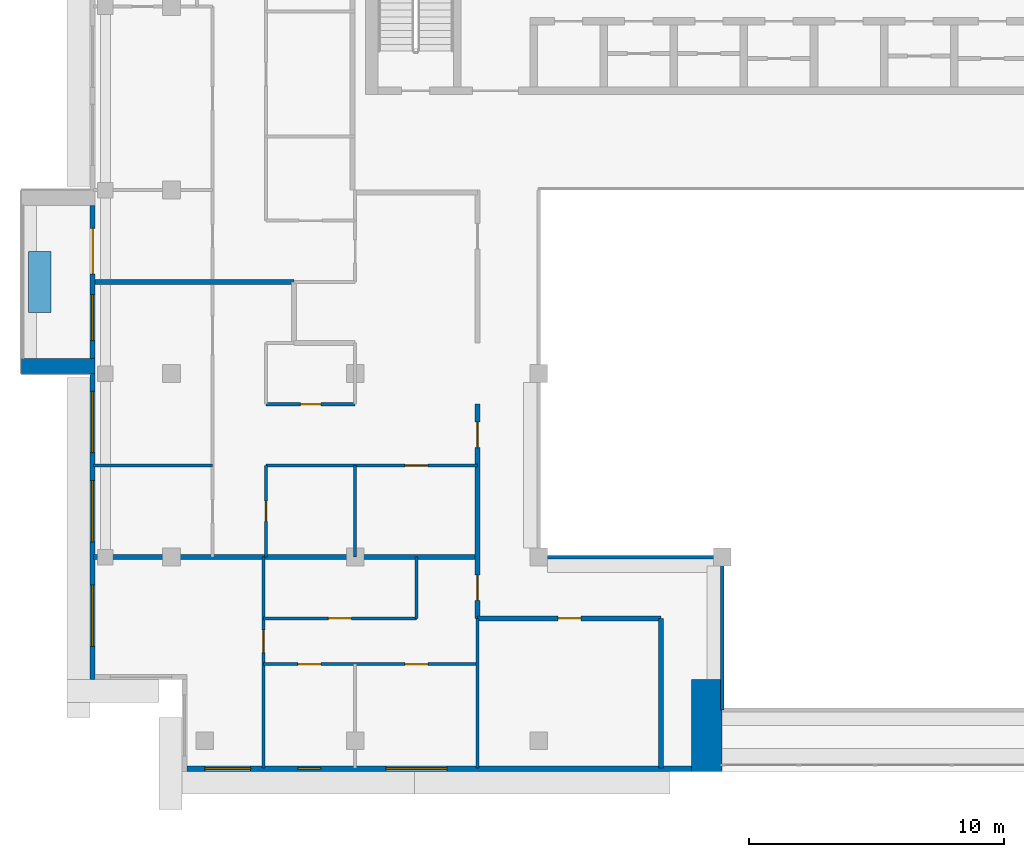
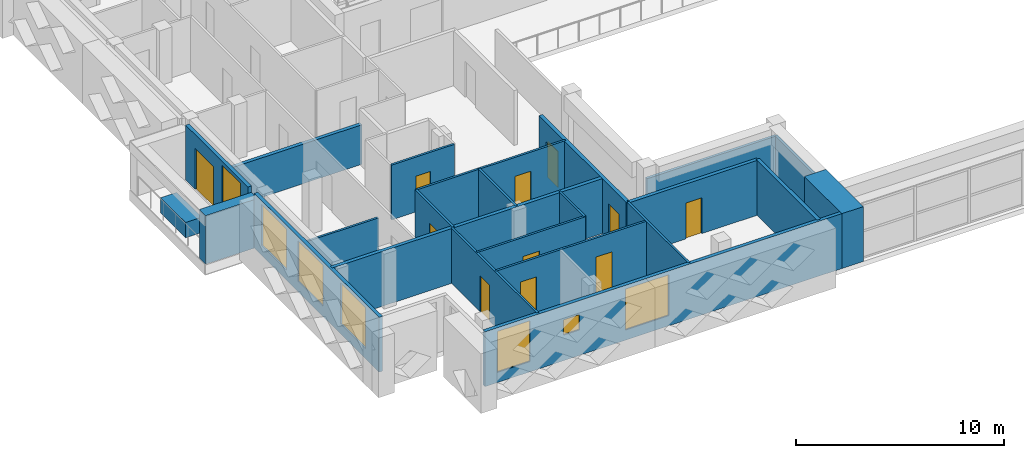
# One storey, part 6 of 18: 23 walls, 11 doors, 7 windows, 18 openings.
"""IFC4 building model written with IfcOpenShell, lengths in metres."""

from ifc_helpers import new_model, si_unit, direction, frame, frame_2d, origin, place, context, subcontext, project, spatial, rectangle, extrude, material, layer, layer_set, type_object, element, fill, save


model = new_model("IFC4")

# Units and contexts
model_context = context("Model", 3, precision=1e-05, world=origin(), true_north=direction((0.0, 1.0)))
body_context = subcontext(model_context, "Body", "Model", "MODEL_VIEW")
ifc_project = project(units=[si_unit("LENGTHUNIT", "METRE"), si_unit("AREAUNIT", "SQUARE_METRE"), si_unit("VOLUMEUNIT", "CUBIC_METRE"), si_unit("PLANEANGLEUNIT", "RADIAN"), si_unit("MASSUNIT", "GRAM", prefix="KILO")], contexts=[model_context])

# Site, building, storey
site_placement = place(None, origin())
site = spatial("IfcSite", under=ifc_project, at=site_placement, CompositionType="ELEMENT")
building_placement = place(site_placement, origin())
building = spatial("IfcBuilding", under=site, at=building_placement, Name="Saffron Iwan Residences", CompositionType="ELEMENT")
storey_placement = place(building_placement, frame((0.0, 0.0, 260.5)))
storey = spatial("IfcBuildingStorey", under=building, at=storey_placement, Name="L70", CompositionType="ELEMENT", Elevation=260.5)

# Walls
ifc_material_1 = material(Name="Fire-rated glazing", Category="glass")
ifc_layer_1 = layer(ifc_material_1, 0.14990234375)
ifc_layer_set_1 = layer_set([ifc_layer_1], Name="Fire-rated glazing")
wall_type_1 = type_object("IfcWallType", Name="Atrium glazed screen 150", PredefinedType="SOLIDWALL", material=ifc_layer_set_1)
wall_1_placement = place(storey_placement, frame((36.0, 48.0, 0.0), z_axis=(0.0, 0.0, 1.0), x_axis=(1.0, 0.0, 0.0)))
element("IfcWall", 1, at=wall_1_placement, inside=storey, type_object=wall_type_1, Name="W-L70-SCREEN-h48-36", PredefinedType="SOLIDWALL", context=body_context, shape_type="SweptSolid", body=[
    extrude(rectangle(XDim=7.199951171875, YDim=0.14990234375, at=frame_2d((3.60009765625, 0.0))), origin(), (0.0, 0.0, 1.0), 2.320068359375),
])
wall_2_placement = place(storey_placement, frame((43.199951171875, 42.0, 0.0), z_axis=(0.0, 0.0, 1.0), x_axis=(0.0, 1.0, 0.0)))
element("IfcWall", 2, at=wall_2_placement, inside=storey, type_object=wall_type_1, Name="W-L70-SCREEN-v43.2-42", PredefinedType="SOLIDWALL", context=body_context, shape_type="SweptSolid", body=[
    extrude(rectangle(XDim=6.0, YDim=0.14990234375, at=frame_2d((3.0, 0.0))), origin(), (0.0, 0.0, 1.0), 2.320068359375),
])
ifc_material_2 = material(Name="Concrete C50/60 white painted", Category="concrete")
ifc_layer_2 = layer(ifc_material_2, 0.60009765625)
ifc_layer_set_2 = layer_set([ifc_layer_2], Name="Concrete C50/60 white painted")
wall_type_2 = type_object("IfcWallType", Name="BALCONY FIN 600", PredefinedType="SOLIDWALL", material=ifc_layer_set_2)
wall_3_placement = place(storey_placement, frame((18.60009765625, 55.5, 0.0), z_axis=(0.0, 0.0, 1.0), x_axis=(-1.0, 0.0, 0.0)))
element("IfcWall", 3, at=wall_3_placement, inside=storey, type_object=wall_type_2, Name="Balcony fin L70 F8-0b", PredefinedType="SOLIDWALL", context=body_context, shape_type="SweptSolid", body=[
    extrude(rectangle(XDim=2.900146484375, YDim=0.60009765625, at=frame_2d((1.4501953125, 0.0))), origin(), (0.0, 0.0, 1.0), 2.85009765625),
])
ifc_material_3 = material(Name="Concrete C35/45 white painted", Category="concrete")
ifc_layer_3 = layer(ifc_material_3, 0.14990234375)
ifc_layer_set_3 = layer_set([ifc_layer_3], Name="Concrete C35/45 white painted")
wall_type_3 = type_object("IfcWallType", Name="BALCONY PLANTER", PredefinedType="SOLIDWALL", material=ifc_layer_set_3)
wall_4_placement = place(storey_placement, frame((16.425048828125, 60.0, 0.0), z_axis=(0.0, 0.0, 1.0), x_axis=(0.0, -1.0, 0.0)))
element("IfcWall", 4, at=wall_4_placement, inside=storey, type_object=wall_type_3, Name="PLANTER L70 F8-0", PredefinedType="SOLIDWALL", context=body_context, shape_type="SweptSolid", body=[
    extrude(rectangle(XDim=2.39990234375, YDim=0.89990234375, at=frame_2d((1.199951171875, 0.0))), origin(), (0.0, 0.0, 1.0), 0.89990234375),
])

# Wall, openings, door, window
ifc_material_4 = material(Name="Concrete C40/50", Category="concrete")
ifc_layer_4 = layer(ifc_material_4, 0.199951171875)
ifc_layer_set_4 = layer_set([ifc_layer_4], Name="Concrete C40/50")
wall_type_4 = type_object("IfcWallType", Name="EXTERNAL WALL 200", PredefinedType="SOLIDWALL", material=ifc_layer_set_4)
wall_5_placement = place(storey_placement, frame((18.5, 61.800048828125, 0.0), z_axis=(0.0, 0.0, 1.0), x_axis=(0.0, -1.0, 0.0)))
wall_5 = element("IfcWall", 5, at=wall_5_placement, inside=storey, type_object=wall_type_4, Name="External wall L70 F8.1", PredefinedType="SOLIDWALL", context=body_context, shape_type="SweptSolid", body=[
    extrude(rectangle(XDim=6.0, YDim=0.199951171875, at=frame_2d((3.0, 0.0))), origin(), (0.0, 0.0, 1.0), 3.219970703125),
])
opening_1_placement = place(wall_5_placement, frame((0.89990234375, 0.0, 0.0)))
opening_1 = element("IfcOpeningElement", 6, at=opening_1_placement, cuts=wall_5, Name="Opening BD1", PredefinedType="OPENING", context=body_context, shape_type="SweptSolid", body=[
    extrude(rectangle(XDim=1.800048828125, YDim=2.39990234375, at=frame_2d((0.89990234375, 1.199951171875))), frame((0.0, 0.10986328125, 0.0), z_axis=(0.0, -1.0, 0.0), x_axis=(1.0, 0.0, 0.0)), (0.0, 0.0, 1.0), 0.219970703125),
])
opening_2_placement = place(wall_5_placement, frame((3.5, 0.0, 0.60009765625)))
opening_2 = element("IfcOpeningElement", 7, at=opening_2_placement, cuts=wall_5, Name="Opening W8", PredefinedType="OPENING", context=body_context, shape_type="SweptSolid", body=[
    extrude(rectangle(XDim=1.800048828125, YDim=2.39990234375, at=frame_2d((0.89990234375, 1.199951171875))), frame((0.0, 0.10986328125, 0.0), z_axis=(0.0, -1.0, 0.0), x_axis=(1.0, 0.0, 0.0)), (0.0, 0.0, 1.0), 0.219970703125),
])
ifc_material_5 = material(Name="Clear glass, laminated double glazed", Category="glass")
door_type_1 = type_object("IfcDoorType", Name="BALCONY DOOR 1800 x 2400", OperationType="DOUBLE_DOOR_SLIDING", PredefinedType="DOOR", material=ifc_material_5)
door_1_placement = place(opening_1_placement, origin())
door_1 = element("IfcDoor", 8, at=door_1_placement, inside=storey, type_object=door_type_1, Name="Balcony door L70 F8.0", OperationType="DOUBLE_DOOR_SLIDING", OverallHeight=2.39990234375, OverallWidth=1.800048828125, PredefinedType="DOOR", context=body_context, shape_type="SweptSolid", body=[
    extrude(rectangle(XDim=1.800048828125, YDim=2.39990234375, at=frame_2d((0.89990234375, 1.199951171875))), frame((0.0, 0.02490234375, 0.0), z_axis=(0.0, -1.0, 0.0), x_axis=(1.0, 0.0, 0.0)), (0.0, 0.0, 1.0), 0.050048828125),
])
fill(opening_1, door_1)
window_type_1 = type_object("IfcWindowType", Name="WINDOW 1800 x 2400", PartitioningType="DOUBLE_PANEL_VERTICAL", PredefinedType="WINDOW", material=ifc_material_5)
window_1_placement = place(opening_2_placement, origin())
window_1 = element("IfcWindow", 9, at=window_1_placement, inside=storey, type_object=window_type_1, Name="Window L70 F8.1", OverallHeight=2.39990234375, OverallWidth=1.800048828125, PartitioningType="DOUBLE_PANEL_VERTICAL", PredefinedType="WINDOW", context=body_context, shape_type="SweptSolid", body=[
    extrude(rectangle(XDim=1.800048828125, YDim=2.39990234375, at=frame_2d((0.89990234375, 1.199951171875))), frame((0.0, 0.030029296875, 0.0), z_axis=(0.0, -1.0, 0.0), x_axis=(1.0, 0.0, 0.0)), (0.0, 0.0, 1.0), 0.06005859375),
])
fill(opening_2, window_1)

# Wall, openings, windows
wall_6_placement = place(storey_placement, frame((18.5, 55.199951171875, 0.0), z_axis=(0.0, 0.0, 1.0), x_axis=(0.0, -1.0, 0.0)))
wall_6 = element("IfcWall", 10, at=wall_6_placement, inside=storey, type_object=wall_type_4, Name="External wall L70 F8.2", PredefinedType="SOLIDWALL", context=body_context, shape_type="SweptSolid", body=[
    extrude(rectangle(XDim=12.0, YDim=0.199951171875, at=frame_2d((6.0, 0.0))), origin(), (0.0, 0.0, 1.0), 3.219970703125),
])
opening_3_placement = place(wall_6_placement, frame((8.300048828125, 0.0, 0.60009765625)))
opening_3 = element("IfcOpeningElement", 11, at=opening_3_placement, cuts=wall_6, Name="Opening W1", PredefinedType="OPENING", context=body_context, shape_type="SweptSolid", body=[
    extrude(rectangle(XDim=2.39990234375, YDim=2.39990234375, at=frame_2d((1.199951171875, 1.199951171875))), frame((0.0, 0.10986328125, 0.0), z_axis=(0.0, -1.0, 0.0), x_axis=(1.0, 0.0, 0.0)), (0.0, 0.0, 1.0), 0.219970703125),
])
opening_4_placement = place(wall_6_placement, frame((4.199951171875, 0.0, 0.60009765625)))
opening_4 = element("IfcOpeningElement", 12, at=opening_4_placement, cuts=wall_6, Name="Opening W1", PredefinedType="OPENING", context=body_context, shape_type="SweptSolid", body=[
    extrude(rectangle(XDim=2.39990234375, YDim=2.39990234375, at=frame_2d((1.199951171875, 1.199951171875))), frame((0.0, 0.10986328125, 0.0), z_axis=(0.0, -1.0, 0.0), x_axis=(1.0, 0.0, 0.0)), (0.0, 0.0, 1.0), 0.219970703125),
])
opening_5_placement = place(wall_6_placement, frame((0.699951171875, 0.0, 0.60009765625)))
opening_5 = element("IfcOpeningElement", 13, at=opening_5_placement, cuts=wall_6, Name="Opening W1", PredefinedType="OPENING", context=body_context, shape_type="SweptSolid", body=[
    extrude(rectangle(XDim=2.39990234375, YDim=2.39990234375, at=frame_2d((1.199951171875, 1.199951171875))), frame((0.0, 0.10986328125, 0.0), z_axis=(0.0, -1.0, 0.0), x_axis=(1.0, 0.0, 0.0)), (0.0, 0.0, 1.0), 0.219970703125),
])
window_type_2 = type_object("IfcWindowType", Name="WINDOW 2400 x 2400", PartitioningType="DOUBLE_PANEL_VERTICAL", PredefinedType="WINDOW", material=ifc_material_5)
window_2_placement = place(opening_3_placement, origin())
window_2 = element("IfcWindow", 14, at=window_2_placement, inside=storey, type_object=window_type_2, Name="Window L70 F8.0", OverallHeight=2.39990234375, OverallWidth=2.39990234375, PartitioningType="DOUBLE_PANEL_VERTICAL", PredefinedType="WINDOW", context=body_context, shape_type="SweptSolid", body=[
    extrude(rectangle(XDim=2.39990234375, YDim=2.39990234375, at=frame_2d((1.199951171875, 1.199951171875))), frame((0.0, 0.030029296875, 0.0), z_axis=(0.0, -1.0, 0.0), x_axis=(1.0, 0.0, 0.0)), (0.0, 0.0, 1.0), 0.06005859375),
])
fill(opening_3, window_2)
window_3_placement = place(opening_4_placement, origin())
window_3 = element("IfcWindow", 15, at=window_3_placement, inside=storey, type_object=window_type_2, Name="Window L70 F8.1", OverallHeight=2.39990234375, OverallWidth=2.39990234375, PartitioningType="DOUBLE_PANEL_VERTICAL", PredefinedType="WINDOW", context=body_context, shape_type="SweptSolid", body=[
    extrude(rectangle(XDim=2.39990234375, YDim=2.39990234375, at=frame_2d((1.199951171875, 1.199951171875))), frame((0.0, 0.030029296875, 0.0), z_axis=(0.0, -1.0, 0.0), x_axis=(1.0, 0.0, 0.0)), (0.0, 0.0, 1.0), 0.06005859375),
])
fill(opening_4, window_3)
window_4_placement = place(opening_5_placement, origin())
window_4 = element("IfcWindow", 16, at=window_4_placement, inside=storey, type_object=window_type_2, Name="Window L70 F8.2", OverallHeight=2.39990234375, OverallWidth=2.39990234375, PartitioningType="DOUBLE_PANEL_VERTICAL", PredefinedType="WINDOW", context=body_context, shape_type="SweptSolid", body=[
    extrude(rectangle(XDim=2.39990234375, YDim=2.39990234375, at=frame_2d((1.199951171875, 1.199951171875))), frame((0.0, 0.030029296875, 0.0), z_axis=(0.0, -1.0, 0.0), x_axis=(1.0, 0.0, 0.0)), (0.0, 0.0, 1.0), 0.06005859375),
])
fill(opening_5, window_4)

wall_7_placement = place(storey_placement, frame((22.199951171875, 39.699951171875, 0.0), z_axis=(0.0, 0.0, 1.0), x_axis=(1.0, 0.0, 0.0)))
wall_7 = element("IfcWall", 17, at=wall_7_placement, inside=storey, type_object=wall_type_4, Name="External wall L70 F11.0", PredefinedType="SOLIDWALL", context=body_context, shape_type="SweptSolid", body=[
    extrude(rectangle(XDim=19.800048828125, YDim=0.199951171875, at=frame_2d((9.89990234375, 0.0))), origin(), (0.0, 0.0, 1.0), 3.219970703125),
])
opening_6_placement = place(wall_7_placement, frame((0.699951171875, 0.0, 0.60009765625)))
opening_6 = element("IfcOpeningElement", 18, at=opening_6_placement, cuts=wall_7, Name="Opening W8", PredefinedType="OPENING", context=body_context, shape_type="SweptSolid", body=[
    extrude(rectangle(XDim=1.800048828125, YDim=2.39990234375, at=frame_2d((0.89990234375, 1.199951171875))), frame((0.0, 0.10986328125, 0.0), z_axis=(0.0, -1.0, 0.0), x_axis=(1.0, 0.0, 0.0)), (0.0, 0.0, 1.0), 0.219970703125),
])
opening_7_placement = place(wall_7_placement, frame((4.35009765625, 0.0, 1.5)))
opening_7 = element("IfcOpeningElement", 19, at=opening_7_placement, cuts=wall_7, Name="Opening W6", PredefinedType="OPENING", context=body_context, shape_type="SweptSolid", body=[
    extrude(rectangle(XDim=0.89990234375, YDim=0.89990234375, at=frame_2d((0.449951171875, 0.449951171875))), frame((0.0, 0.10986328125, 0.0), z_axis=(0.0, -1.0, 0.0), x_axis=(1.0, 0.0, 0.0)), (0.0, 0.0, 1.0), 0.219970703125),
])
opening_8_placement = place(wall_7_placement, frame((7.800048828125, 0.0, 0.60009765625)))
opening_8 = element("IfcOpeningElement", 20, at=opening_8_placement, cuts=wall_7, Name="Opening W1", PredefinedType="OPENING", context=body_context, shape_type="SweptSolid", body=[
    extrude(rectangle(XDim=2.39990234375, YDim=2.39990234375, at=frame_2d((1.199951171875, 1.199951171875))), frame((0.0, 0.10986328125, 0.0), z_axis=(0.0, -1.0, 0.0), x_axis=(1.0, 0.0, 0.0)), (0.0, 0.0, 1.0), 0.219970703125),
])
window_5_placement = place(opening_6_placement, origin())
window_5 = element("IfcWindow", 21, at=window_5_placement, inside=storey, type_object=window_type_1, Name="Window L70 F11.0", OverallHeight=2.39990234375, OverallWidth=1.800048828125, PartitioningType="DOUBLE_PANEL_VERTICAL", PredefinedType="WINDOW", context=body_context, shape_type="SweptSolid", body=[
    extrude(rectangle(XDim=1.800048828125, YDim=2.39990234375, at=frame_2d((0.89990234375, 1.199951171875))), frame((0.0, 0.030029296875, 0.0), z_axis=(0.0, -1.0, 0.0), x_axis=(1.0, 0.0, 0.0)), (0.0, 0.0, 1.0), 0.06005859375),
])
fill(opening_6, window_5)
window_6_placement = place(opening_8_placement, origin())
window_6 = element("IfcWindow", 22, at=window_6_placement, inside=storey, type_object=window_type_2, Name="Window L70 F11.2", OverallHeight=2.39990234375, OverallWidth=2.39990234375, PartitioningType="DOUBLE_PANEL_VERTICAL", PredefinedType="WINDOW", context=body_context, shape_type="SweptSolid", body=[
    extrude(rectangle(XDim=2.39990234375, YDim=2.39990234375, at=frame_2d((1.199951171875, 1.199951171875))), frame((0.0, 0.030029296875, 0.0), z_axis=(0.0, -1.0, 0.0), x_axis=(1.0, 0.0, 0.0)), (0.0, 0.0, 1.0), 0.06005859375),
])
fill(opening_8, window_6)
window_type_3 = type_object("IfcWindowType", Name="WINDOW 900 x 900 BATH", PartitioningType="SINGLE_PANEL", PredefinedType="WINDOW", material=ifc_material_5)
window_7_placement = place(opening_7_placement, origin())
window_7 = element("IfcWindow", 23, at=window_7_placement, inside=storey, type_object=window_type_3, Name="Window L70 F11.1", OverallHeight=0.89990234375, OverallWidth=0.89990234375, PartitioningType="SINGLE_PANEL", PredefinedType="WINDOW", context=body_context, shape_type="SweptSolid", body=[
    extrude(rectangle(XDim=0.89990234375, YDim=0.89990234375, at=frame_2d((0.449951171875, 0.449951171875))), frame((0.0, 0.030029296875, 0.0), z_axis=(0.0, -1.0, 0.0), x_axis=(1.0, 0.0, 0.0)), (0.0, 0.0, 1.0), 0.06005859375),
])
fill(opening_7, window_7)

# Walls
ifc_material_6 = material(Name="Fire-rated gypsum board wall")
ifc_layer_5 = layer(ifc_material_6, 0.199951171875)
ifc_layer_set_5 = layer_set([ifc_layer_5], Name="Fire-rated gypsum board wall")
wall_type_5 = type_object("IfcWallType", Name="Flat demising wall 200", PredefinedType="SOLIDWALL", material=ifc_layer_set_5)
wall_8_placement = place(storey_placement, frame((18.52490234375, 48.0, 0.0), z_axis=(0.0, 0.0, 1.0), x_axis=(1.0, 0.0, 0.0)))
element("IfcWall", 24, at=wall_8_placement, inside=storey, type_object=wall_type_5, Name="W-L70-DEMISE-h48-18.525", PredefinedType="SOLIDWALL", context=body_context, shape_type="SweptSolid", body=[
    extrude(rectangle(XDim=15.0751953125, YDim=0.199951171875, at=frame_2d((7.53759765625, 0.0))), origin(), (0.0, 0.0, 1.0), 3.219970703125),
])
wall_9_placement = place(storey_placement, frame((18.52490234375, 58.800048828125, 0.0), z_axis=(0.0, 0.0, 1.0), x_axis=(1.0, 0.0, 0.0)))
element("IfcWall", 25, at=wall_9_placement, inside=storey, type_object=wall_type_5, Name="W-L70-DEMISE-h58.8-18.525", PredefinedType="SOLIDWALL", context=body_context, shape_type="SweptSolid", body=[
    extrude(rectangle(XDim=7.875, YDim=0.199951171875, at=frame_2d((3.9375, 0.0))), origin(), (0.0, 0.0, 1.0), 2.320068359375),
])

# Wall, openings, doors
ifc_material_7 = material(Name="Gypsum board partition")
ifc_layer_6 = layer(ifc_material_7, 0.1201171875)
ifc_layer_set_6 = layer_set([ifc_layer_6], Name="Gypsum board partition")
wall_type_6 = type_object("IfcWallType", Name="Flat partition 120", PredefinedType="PARTITIONING", material=ifc_layer_set_6)
wall_10_placement = place(storey_placement, frame((25.199951171875, 43.800048828125, 0.0), z_axis=(0.0, 0.0, 1.0), x_axis=(1.0, 0.0, 0.0)))
wall_10 = element("IfcWall", 26, at=wall_10_placement, inside=storey, type_object=wall_type_6, Name="W-L70-PART-h43.8-25.2", PredefinedType="PARTITIONING", context=body_context, shape_type="SweptSolid", body=[
    extrude(rectangle(XDim=8.400146484375, YDim=0.1201171875, at=frame_2d((4.2001953125, 0.0))), origin(), (0.0, 0.0, 1.0), 3.219970703125),
])
opening_9_placement = place(wall_10_placement, frame((1.35009765625, 0.0, 0.0)))
opening_9 = element("IfcOpeningElement", 27, at=opening_9_placement, cuts=wall_10, Name="Opening FD2", PredefinedType="OPENING", context=body_context, shape_type="SweptSolid", body=[
    extrude(rectangle(XDim=0.89990234375, YDim=2.10009765625, at=frame_2d((0.449951171875, 1.050048828125))), frame((0.0, 0.070068359375, 0.0), z_axis=(0.0, -1.0, 0.0), x_axis=(1.0, 0.0, 0.0)), (0.0, 0.0, 1.0), 0.14013671875),
])
opening_10_placement = place(wall_10_placement, frame((5.550048828125, 0.0, 0.0)))
opening_10 = element("IfcOpeningElement", 28, at=opening_10_placement, cuts=wall_10, Name="Opening FD2", PredefinedType="OPENING", context=body_context, shape_type="SweptSolid", body=[
    extrude(rectangle(XDim=0.89990234375, YDim=2.10009765625, at=frame_2d((0.449951171875, 1.050048828125))), frame((0.0, 0.070068359375, 0.0), z_axis=(0.0, -1.0, 0.0), x_axis=(1.0, 0.0, 0.0)), (0.0, 0.0, 1.0), 0.14013671875),
])
ifc_material_8 = material(Name="Timber door", Category="wood")
door_type_2 = type_object("IfcDoorType", Name="Flat door 900", OperationType="NOTDEFINED", PredefinedType="DOOR", material=ifc_material_8)
door_2_placement = place(opening_9_placement, origin())
door_2 = element("IfcDoor", 29, at=door_2_placement, inside=storey, type_object=door_type_2, Name="Door L70-003", OperationType="SINGLE_SWING_RIGHT", OverallHeight=2.10009765625, OverallWidth=0.89990234375, PredefinedType="DOOR", context=body_context, shape_type="SweptSolid", body=[
    extrude(rectangle(XDim=0.89990234375, YDim=2.10009765625, at=frame_2d((0.449951171875, 1.050048828125))), frame((0.0, 0.02490234375, 0.0), z_axis=(0.0, -1.0, 0.0), x_axis=(1.0, 0.0, 0.0)), (0.0, 0.0, 1.0), 0.050048828125),
])
fill(opening_9, door_2)
door_3_placement = place(opening_10_placement, origin())
door_3 = element("IfcDoor", 30, at=door_3_placement, inside=storey, type_object=door_type_2, Name="Door L70-004", OperationType="SINGLE_SWING_LEFT", OverallHeight=2.10009765625, OverallWidth=0.89990234375, PredefinedType="DOOR", context=body_context, shape_type="SweptSolid", body=[
    extrude(rectangle(XDim=0.89990234375, YDim=2.10009765625, at=frame_2d((0.449951171875, 1.050048828125))), frame((0.0, 0.02490234375, 0.0), z_axis=(0.0, -1.0, 0.0), x_axis=(1.0, 0.0, 0.0)), (0.0, 0.0, 1.0), 0.050048828125),
])
fill(opening_10, door_3)

# Wall, opening, door
wall_11_placement = place(storey_placement, frame((25.199951171875, 45.60009765625, 0.0), z_axis=(0.0, 0.0, 1.0), x_axis=(1.0, 0.0, 0.0)))
wall_11 = element("IfcWall", 31, at=wall_11_placement, inside=storey, type_object=wall_type_6, Name="W-L70-PART-h45.6-25.2", PredefinedType="PARTITIONING", context=body_context, shape_type="SweptSolid", body=[
    extrude(rectangle(XDim=6.0, YDim=0.1201171875, at=frame_2d((3.0, 0.0))), origin(), (0.0, 0.0, 1.0), 3.219970703125),
])
opening_11_placement = place(wall_11_placement, frame((2.550048828125, 0.0, 0.0)))
opening_11 = element("IfcOpeningElement", 32, at=opening_11_placement, cuts=wall_11, Name="Opening FD2", PredefinedType="OPENING", context=body_context, shape_type="SweptSolid", body=[
    extrude(rectangle(XDim=0.89990234375, YDim=2.10009765625, at=frame_2d((0.449951171875, 1.050048828125))), frame((0.0, 0.070068359375, 0.0), z_axis=(0.0, -1.0, 0.0), x_axis=(1.0, 0.0, 0.0)), (0.0, 0.0, 1.0), 0.14013671875),
])
door_4_placement = place(opening_11_placement, origin())
door_4 = element("IfcDoor", 33, at=door_4_placement, inside=storey, type_object=door_type_2, Name="Door L70-005", OperationType="SINGLE_SWING_LEFT", OverallHeight=2.10009765625, OverallWidth=0.89990234375, PredefinedType="DOOR", context=body_context, shape_type="SweptSolid", body=[
    extrude(rectangle(XDim=0.89990234375, YDim=2.10009765625, at=frame_2d((0.449951171875, 1.050048828125))), frame((0.0, 0.02490234375, 0.0), z_axis=(0.0, -1.0, 0.0), x_axis=(1.0, 0.0, 0.0)), (0.0, 0.0, 1.0), 0.050048828125),
])
fill(opening_11, door_4)

# Wall
wall_12_placement = place(storey_placement, frame((18.52490234375, 51.60009765625, 0.0), z_axis=(0.0, 0.0, 1.0), x_axis=(1.0, 0.0, 0.0)))
element("IfcWall", 34, at=wall_12_placement, inside=storey, type_object=wall_type_6, Name="W-L70-PART-h51.6-18.525", PredefinedType="PARTITIONING", context=body_context, shape_type="SweptSolid", body=[
    extrude(rectangle(XDim=4.675048828125, YDim=0.1201171875, at=frame_2d((2.33740234375, 0.0))), origin(), (0.0, 0.0, 1.0), 2.320068359375),
])

# Wall, opening, door
wall_13_placement = place(storey_placement, frame((25.300048828125, 51.60009765625, 0.0), z_axis=(0.0, 0.0, 1.0), x_axis=(1.0, 0.0, 0.0)))
wall_13 = element("IfcWall", 35, at=wall_13_placement, inside=storey, type_object=wall_type_6, Name="W-L70-PART-h51.6-25.3", PredefinedType="PARTITIONING", context=body_context, shape_type="SweptSolid", body=[
    extrude(rectangle(XDim=8.300048828125, YDim=0.1201171875, at=frame_2d((4.14990234375, 0.0))), origin(), (0.0, 0.0, 1.0), 3.219970703125),
])
opening_12_placement = place(wall_13_placement, frame((5.449951171875, 0.0, 0.0)))
opening_12 = element("IfcOpeningElement", 36, at=opening_12_placement, cuts=wall_13, Name="Opening FD2", PredefinedType="OPENING", context=body_context, shape_type="SweptSolid", body=[
    extrude(rectangle(XDim=0.89990234375, YDim=2.10009765625, at=frame_2d((0.449951171875, 1.050048828125))), frame((0.0, 0.070068359375, 0.0), z_axis=(0.0, -1.0, 0.0), x_axis=(1.0, 0.0, 0.0)), (0.0, 0.0, 1.0), 0.14013671875),
])
door_5_placement = place(opening_12_placement, origin())
door_5 = element("IfcDoor", 37, at=door_5_placement, inside=storey, type_object=door_type_2, Name="Door L70-012", OperationType="SINGLE_SWING_RIGHT", OverallHeight=2.10009765625, OverallWidth=0.89990234375, PredefinedType="DOOR", context=body_context, shape_type="SweptSolid", body=[
    extrude(rectangle(XDim=0.89990234375, YDim=2.10009765625, at=frame_2d((0.449951171875, 1.050048828125))), frame((0.0, 0.02490234375, 0.0), z_axis=(0.0, -1.0, 0.0), x_axis=(1.0, 0.0, 0.0)), (0.0, 0.0, 1.0), 0.050048828125),
])
fill(opening_12, door_5)

wall_14_placement = place(storey_placement, frame((25.300048828125, 54.0, 0.0), z_axis=(0.0, 0.0, 1.0), x_axis=(1.0, 0.0, 0.0)))
wall_14 = element("IfcWall", 38, at=wall_14_placement, inside=storey, type_object=wall_type_6, Name="W-L70-PART-h54-25.3", PredefinedType="PARTITIONING", context=body_context, shape_type="SweptSolid", body=[
    extrude(rectangle(XDim=3.5, YDim=0.1201171875, at=frame_2d((1.75, 0.0))), origin(), (0.0, 0.0, 1.0), 3.219970703125),
])
opening_13_placement = place(wall_14_placement, frame((1.35009765625, 0.0, 0.0)))
opening_13 = element("IfcOpeningElement", 39, at=opening_13_placement, cuts=wall_14, Name="Opening FD3", PredefinedType="OPENING", context=body_context, shape_type="SweptSolid", body=[
    extrude(rectangle(XDim=0.800048828125, YDim=2.10009765625, at=frame_2d((0.39990234375, 1.050048828125))), frame((0.0, 0.070068359375, 0.0), z_axis=(0.0, -1.0, 0.0), x_axis=(1.0, 0.0, 0.0)), (0.0, 0.0, 1.0), 0.14013671875),
])
door_type_3 = type_object("IfcDoorType", Name="Bathroom door 800", OperationType="NOTDEFINED", PredefinedType="DOOR", material=ifc_material_8)
door_6_placement = place(opening_13_placement, origin())
door_6 = element("IfcDoor", 40, at=door_6_placement, inside=storey, type_object=door_type_3, Name="Door L70-011", OperationType="SINGLE_SWING_LEFT", OverallHeight=2.10009765625, OverallWidth=0.800048828125, PredefinedType="DOOR", context=body_context, shape_type="SweptSolid", body=[
    extrude(rectangle(XDim=0.800048828125, YDim=2.10009765625, at=frame_2d((0.39990234375, 1.050048828125))), frame((0.0, 0.02490234375, 0.0), z_axis=(0.0, -1.0, 0.0), x_axis=(1.0, 0.0, 0.0)), (0.0, 0.0, 1.0), 0.050048828125),
])
fill(opening_13, door_6)

wall_15_placement = place(storey_placement, frame((25.199951171875, 39.72509765625, 0.0), z_axis=(0.0, 0.0, 1.0), x_axis=(0.0, 1.0, 0.0)))
wall_15 = element("IfcWall", 41, at=wall_15_placement, inside=storey, type_object=wall_type_6, Name="W-L70-PART-v25.2-39.725", PredefinedType="PARTITIONING", context=body_context, shape_type="SweptSolid", body=[
    extrude(rectangle(XDim=8.27490234375, YDim=0.1201171875, at=frame_2d((4.137451171875, 0.0))), origin(), (0.0, 0.0, 1.0), 3.219970703125),
])
opening_14_placement = place(wall_15_placement, frame((4.52490234375, 0.0, 0.0)))
opening_14 = element("IfcOpeningElement", 42, at=opening_14_placement, cuts=wall_15, Name="Opening FD2", PredefinedType="OPENING", context=body_context, shape_type="SweptSolid", body=[
    extrude(rectangle(XDim=0.89990234375, YDim=2.10009765625, at=frame_2d((0.449951171875, 1.050048828125))), frame((0.0, 0.070068359375, 0.0), z_axis=(0.0, -1.0, 0.0), x_axis=(1.0, 0.0, 0.0)), (0.0, 0.0, 1.0), 0.14013671875),
])
door_7_placement = place(opening_14_placement, origin())
door_7 = element("IfcDoor", 43, at=door_7_placement, inside=storey, type_object=door_type_2, Name="Door L70-002", OperationType="SINGLE_SWING_LEFT", OverallHeight=2.10009765625, OverallWidth=0.89990234375, PredefinedType="DOOR", context=body_context, shape_type="SweptSolid", body=[
    extrude(rectangle(XDim=0.89990234375, YDim=2.10009765625, at=frame_2d((0.449951171875, 1.050048828125))), frame((0.0, 0.02490234375, 0.0), z_axis=(0.0, -1.0, 0.0), x_axis=(1.0, 0.0, 0.0)), (0.0, 0.0, 1.0), 0.050048828125),
])
fill(opening_14, door_7)

wall_16_placement = place(storey_placement, frame((25.300048828125, 48.0, 0.0), z_axis=(0.0, 0.0, 1.0), x_axis=(0.0, 1.0, 0.0)))
wall_16 = element("IfcWall", 44, at=wall_16_placement, inside=storey, type_object=wall_type_6, Name="W-L70-PART-v25.3-48", PredefinedType="PARTITIONING", context=body_context, shape_type="SweptSolid", body=[
    extrude(rectangle(XDim=3.60009765625, YDim=0.1201171875, at=frame_2d((1.800048828125, 0.0))), origin(), (0.0, 0.0, 1.0), 3.219970703125),
])
opening_15_placement = place(wall_16_placement, frame((1.39990234375, 0.0, 0.0)))
opening_15 = element("IfcOpeningElement", 45, at=opening_15_placement, cuts=wall_16, Name="Opening FD3", PredefinedType="OPENING", context=body_context, shape_type="SweptSolid", body=[
    extrude(rectangle(XDim=0.800048828125, YDim=2.10009765625, at=frame_2d((0.39990234375, 1.050048828125))), frame((0.0, 0.070068359375, 0.0), z_axis=(0.0, -1.0, 0.0), x_axis=(1.0, 0.0, 0.0)), (0.0, 0.0, 1.0), 0.14013671875),
])
door_8_placement = place(opening_15_placement, origin())
door_8 = element("IfcDoor", 46, at=door_8_placement, inside=storey, type_object=door_type_3, Name="Door L70-010", OperationType="SINGLE_SWING_LEFT", OverallHeight=2.10009765625, OverallWidth=0.800048828125, PredefinedType="DOOR", context=body_context, shape_type="SweptSolid", body=[
    extrude(rectangle(XDim=0.800048828125, YDim=2.10009765625, at=frame_2d((0.39990234375, 1.050048828125))), frame((0.0, 0.02490234375, 0.0), z_axis=(0.0, -1.0, 0.0), x_axis=(1.0, 0.0, 0.0)), (0.0, 0.0, 1.0), 0.050048828125),
])
fill(opening_15, door_8)

# Walls
wall_17_placement = place(storey_placement, frame((28.800048828125, 48.0, 0.0), z_axis=(0.0, 0.0, 1.0), x_axis=(0.0, 1.0, 0.0)))
element("IfcWall", 47, at=wall_17_placement, inside=storey, type_object=wall_type_6, Name="W-L70-PART-v28.8-48", PredefinedType="PARTITIONING", context=body_context, shape_type="SweptSolid", body=[
    extrude(rectangle(XDim=3.60009765625, YDim=0.1201171875, at=frame_2d((1.800048828125, 0.0))), origin(), (0.0, 0.0, 1.0), 3.219970703125),
])
wall_18_placement = place(storey_placement, frame((31.199951171875, 45.60009765625, 0.0), z_axis=(0.0, 0.0, 1.0), x_axis=(0.0, 1.0, 0.0)))
element("IfcWall", 48, at=wall_18_placement, inside=storey, type_object=wall_type_6, Name="W-L70-PART-v31.2-45.6", PredefinedType="PARTITIONING", context=body_context, shape_type="SweptSolid", body=[
    extrude(rectangle(XDim=2.39990234375, YDim=0.1201171875, at=frame_2d((1.199951171875, 0.0))), origin(), (0.0, 0.0, 1.0), 3.219970703125),
])
wall_19_placement = place(storey_placement, frame((33.60009765625, 39.72509765625, 0.0), z_axis=(0.0, 0.0, 1.0), x_axis=(0.0, 1.0, 0.0)))
element("IfcWall", 49, at=wall_19_placement, inside=storey, type_object=wall_type_6, Name="W-L70-PART-v33.6-39.725", PredefinedType="PARTITIONING", context=body_context, shape_type="SweptSolid", body=[
    extrude(rectangle(XDim=5.875, YDim=0.1201171875, at=frame_2d((2.9375, 0.0))), origin(), (0.0, 0.0, 1.0), 3.219970703125),
])

# Wall, opening, door
ifc_layer_7 = layer(ifc_material_6, 0.199951171875)
ifc_layer_set_7 = layer_set([ifc_layer_7], Name="Fire-rated gypsum board wall")
wall_type_7 = type_object("IfcWallType", Name="Gallery wall 200", PredefinedType="SOLIDWALL", material=ifc_layer_set_7)
wall_20_placement = place(storey_placement, frame((33.60009765625, 45.60009765625, 0.0), z_axis=(0.0, 0.0, 1.0), x_axis=(1.0, 0.0, 0.0)))
wall_20 = element("IfcWall", 50, at=wall_20_placement, inside=storey, type_object=wall_type_7, Name="W-L70-CORR-h45.6-33.6", PredefinedType="SOLIDWALL", context=body_context, shape_type="SweptSolid", body=[
    extrude(rectangle(XDim=7.199951171875, YDim=0.199951171875, at=frame_2d((3.60009765625, 0.0))), origin(), (0.0, 0.0, 1.0), 3.219970703125),
])
opening_16_placement = place(wall_20_placement, frame((3.14990234375, 0.0, 0.0)))
opening_16 = element("IfcOpeningElement", 51, at=opening_16_placement, cuts=wall_20, Name="Opening FD2", PredefinedType="OPENING", context=body_context, shape_type="SweptSolid", body=[
    extrude(rectangle(XDim=0.89990234375, YDim=2.10009765625, at=frame_2d((0.449951171875, 1.050048828125))), frame((0.0, 0.10986328125, 0.0), z_axis=(0.0, -1.0, 0.0), x_axis=(1.0, 0.0, 0.0)), (0.0, 0.0, 1.0), 0.219970703125),
])
door_9_placement = place(opening_16_placement, origin())
door_9 = element("IfcDoor", 52, at=door_9_placement, inside=storey, type_object=door_type_2, Name="Door L70-006", OperationType="SINGLE_SWING_RIGHT", OverallHeight=2.10009765625, OverallWidth=0.89990234375, PredefinedType="DOOR", context=body_context, shape_type="SweptSolid", body=[
    extrude(rectangle(XDim=0.89990234375, YDim=2.10009765625, at=frame_2d((0.449951171875, 1.050048828125))), frame((0.0, 0.02490234375, 0.0), z_axis=(0.0, -1.0, 0.0), x_axis=(1.0, 0.0, 0.0)), (0.0, 0.0, 1.0), 0.050048828125),
])
fill(opening_16, door_9)

# Wall, openings, doors
wall_21_placement = place(storey_placement, frame((33.60009765625, 45.60009765625, 0.0), z_axis=(0.0, 0.0, 1.0), x_axis=(0.0, 1.0, 0.0)))
wall_21 = element("IfcWall", 53, at=wall_21_placement, inside=storey, type_object=wall_type_7, Name="W-L70-CORR-v33.6-45.6", PredefinedType="SOLIDWALL", context=body_context, shape_type="SweptSolid", body=[
    extrude(rectangle(XDim=8.39990234375, YDim=0.199951171875, at=frame_2d((4.199951171875, 0.0))), origin(), (0.0, 0.0, 1.0), 3.219970703125),
])
opening_17_placement = place(wall_21_placement, frame((0.699951171875, 0.0, 0.0)))
opening_17 = element("IfcOpeningElement", 54, at=opening_17_placement, cuts=wall_21, Name="Opening FD1", PredefinedType="OPENING", context=body_context, shape_type="SweptSolid", body=[
    extrude(rectangle(XDim=1.0, YDim=2.10009765625, at=frame_2d((0.5, 1.050048828125))), frame((0.0, 0.10986328125, 0.0), z_axis=(0.0, -1.0, 0.0), x_axis=(1.0, 0.0, 0.0)), (0.0, 0.0, 1.0), 0.219970703125),
])
opening_18_placement = place(wall_21_placement, frame((6.699951171875, 0.0, 0.0)))
opening_18 = element("IfcOpeningElement", 55, at=opening_18_placement, cuts=wall_21, Name="Opening FD1", PredefinedType="OPENING", context=body_context, shape_type="SweptSolid", body=[
    extrude(rectangle(XDim=1.0, YDim=2.10009765625, at=frame_2d((0.5, 1.050048828125))), frame((0.0, 0.10986328125, 0.0), z_axis=(0.0, -1.0, 0.0), x_axis=(1.0, 0.0, 0.0)), (0.0, 0.0, 1.0), 0.219970703125),
])
ifc_material_9 = material(Name="Fire-rated timber door", Category="wood")
door_type_4 = type_object("IfcDoorType", Name="FD30S flat entrance door 1000", OperationType="NOTDEFINED", PredefinedType="DOOR", material=ifc_material_9)
door_10_placement = place(opening_17_placement, origin())
door_10 = element("IfcDoor", 56, at=door_10_placement, inside=storey, type_object=door_type_4, Name="Door L70-001", OperationType="SINGLE_SWING_LEFT", OverallHeight=2.10009765625, OverallWidth=1.0, PredefinedType="DOOR", context=body_context, shape_type="SweptSolid", body=[
    extrude(rectangle(XDim=1.0, YDim=2.10009765625, at=frame_2d((0.5, 1.050048828125))), frame((0.0, 0.02490234375, 0.0), z_axis=(0.0, -1.0, 0.0), x_axis=(1.0, 0.0, 0.0)), (0.0, 0.0, 1.0), 0.050048828125),
])
fill(opening_17, door_10)
door_11_placement = place(opening_18_placement, origin())
door_11 = element("IfcDoor", 57, at=door_11_placement, inside=storey, type_object=door_type_4, Name="Door L70-007", OperationType="SINGLE_SWING_LEFT", OverallHeight=2.10009765625, OverallWidth=1.0, PredefinedType="DOOR", context=body_context, shape_type="SweptSolid", body=[
    extrude(rectangle(XDim=1.0, YDim=2.10009765625, at=frame_2d((0.5, 1.050048828125))), frame((0.0, 0.02490234375, 0.0), z_axis=(0.0, -1.0, 0.0), x_axis=(1.0, 0.0, 0.0)), (0.0, 0.0, 1.0), 0.050048828125),
])
fill(opening_18, door_11)

# Walls
wall_22_placement = place(storey_placement, frame((40.800048828125, 39.72509765625, 0.0), z_axis=(0.0, 0.0, 1.0), x_axis=(0.0, 1.0, 0.0)))
element("IfcWall", 58, at=wall_22_placement, inside=storey, type_object=wall_type_7, Name="W-L70-CORR-v40.8-39.725", PredefinedType="SOLIDWALL", context=body_context, shape_type="SweptSolid", body=[
    extrude(rectangle(XDim=5.875, YDim=0.199951171875, at=frame_2d((2.9375, 0.0))), origin(), (0.0, 0.0, 1.0), 3.219970703125),
])
ifc_layer_8 = layer(ifc_material_4, 1.199951171875)
ifc_layer_set_8 = layer_set([ifc_layer_8], Name="Concrete C40/50")
wall_type_8 = type_object("IfcWallType", Name="WALL IWAN PIER 1200 C40/50 3220 HIGH", PredefinedType="SHEAR", material=ifc_layer_set_8)
wall_23_placement = place(storey_placement, frame((42.60009765625, 39.60009765625, 0.0), z_axis=(0.0, 0.0, 1.0), x_axis=(0.0, 1.0, 0.0)))
element("IfcWall", 59, at=wall_23_placement, inside=storey, type_object=wall_type_8, Name="IWAN PIER", PredefinedType="SHEAR", context=body_context, shape_type="SweptSolid", body=[
    extrude(rectangle(XDim=3.599853515625, YDim=1.199951171875, at=frame_2d((1.7998046875, 0.0))), origin(), (0.0, 0.0, 1.0), 3.219970703125),
])

save(model, "model.ifc")
